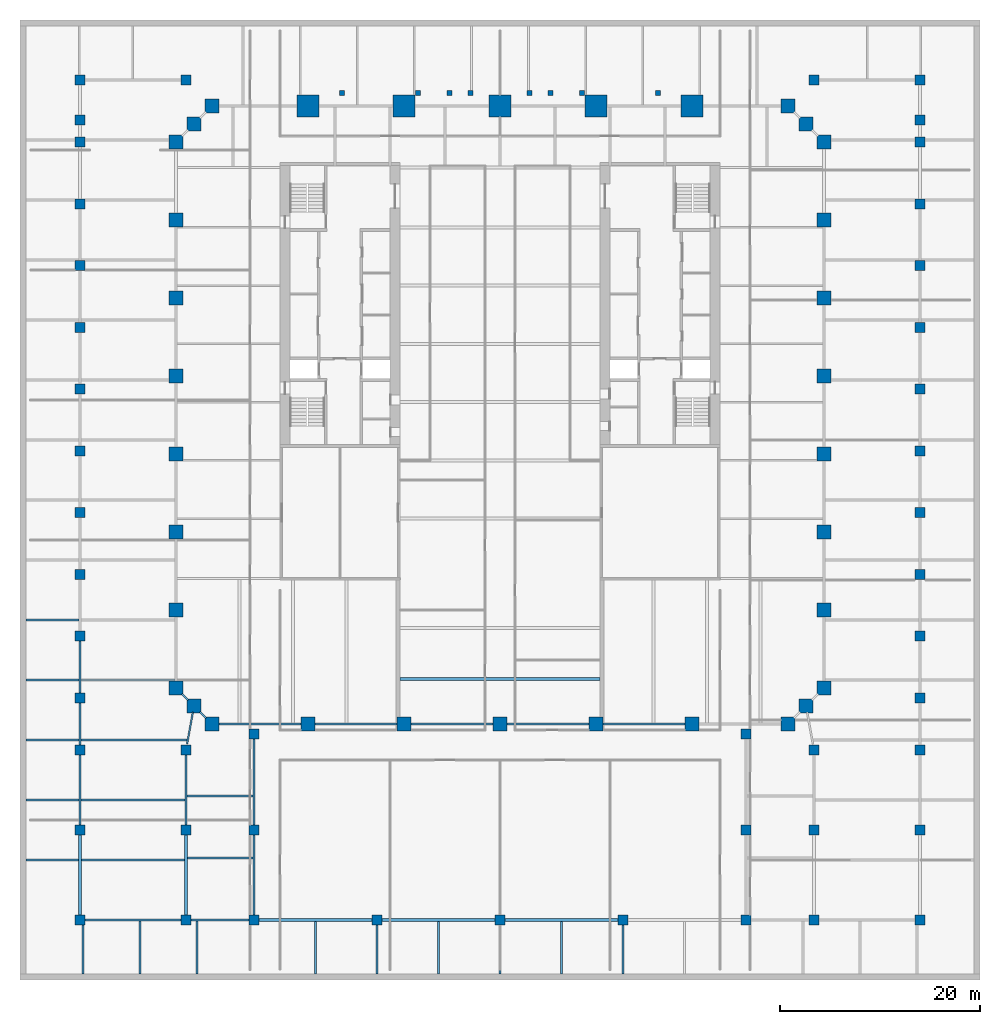
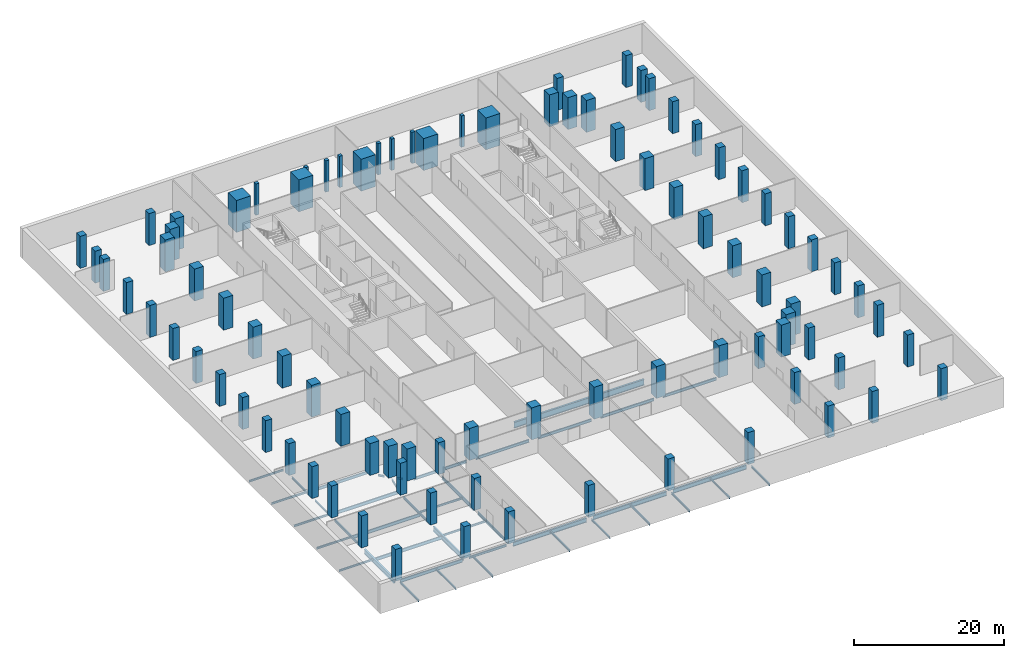
# One storey, part 1 of 15: 89 columns, 42 beams.
"""IFC4 building model written with IfcOpenShell, lengths in metres."""

from ifc_helpers import new_model, si_unit, direction, frame, origin, origin_2d, place, context, subcontext, project, spatial, rectangle, i_section, extrude, material, material_profile, profile_set, type_object, element, save


model = new_model("IFC4")

# Units and contexts
model_context = context("Model", 3, precision=1e-05, world=origin(), true_north=direction((0.0, 1.0)))
body_context = subcontext(model_context, "Body", "Model", "MODEL_VIEW")
ifc_project = project(units=[si_unit("LENGTHUNIT", "METRE"), si_unit("AREAUNIT", "SQUARE_METRE"), si_unit("VOLUMEUNIT", "CUBIC_METRE"), si_unit("PLANEANGLEUNIT", "RADIAN"), si_unit("MASSUNIT", "GRAM", prefix="KILO")], contexts=[model_context])

# Site, building, storey
site_placement = place(None, origin())
site = spatial("IfcSite", under=ifc_project, at=site_placement, CompositionType="ELEMENT")
building_placement = place(site_placement, origin())
building = spatial("IfcBuilding", under=site, at=building_placement, Name="Ogive Exchange Tower", CompositionType="ELEMENT")
storey_placement = place(building_placement, frame((0.0, 0.0, -5.199951171875)))
storey = spatial("IfcBuildingStorey", under=building, at=storey_placement, Name="B1", CompositionType="ELEMENT", Elevation=-5.199951171875)

# Columns
ifc_material_1 = material(Name="Concrete C70/85", Category="concrete")
ifc_material_profile_1 = material_profile(ifc_material_1, rectangle(XDim=1.0, YDim=1.0, at=origin_2d()), Name="RC 1000x1000")
ifc_profile_set_1 = profile_set([ifc_material_profile_1], Name="Concrete C70/85")
column_type_1 = type_object("IfcColumnType", Name="RC column 1000x1000", PredefinedType="COLUMN", material=ifc_profile_set_1)
for number, where, z_axis, x_axis, name in (
    (1, (-42.0, -50.0, 0.0), (0.0, 0.0, 1.0), (1.0, 0.0, 0.0), "Podium column"),
    (2, (-31.39990234375, -50.0, 0.0), (0.0, 0.0, 1.0), (1.0, 0.0, 0.0), "Podium column"),
    (3, (-24.60009765625, -50.0, 0.0), (0.0, 0.0, 1.0), (1.0, 0.0, 0.0), "Podium column"),
    (4, (-12.300048828125, -50.0, 0.0), (0.0, 0.0, 1.0), (1.0, 0.0, 0.0), "Podium column"),
    (5, (0.0, -50.0, 0.0), (0.0, 0.0, 1.0), (1.0, 0.0, 0.0), "Podium column"),
    (6, (12.300048828125, -50.0, 0.0), (0.0, 0.0, 1.0), (1.0, 0.0, 0.0), "Podium column"),
    (7, (24.60009765625, -50.0, 0.0), (0.0, 0.0, 1.0), (1.0, 0.0, 0.0), "Podium column"),
    (8, (31.39990234375, -50.0, 0.0), (0.0, 0.0, 1.0), (1.0, 0.0, 0.0), "Podium column"),
    (9, (42.0, -50.0, 0.0), (0.0, 0.0, 1.0), (1.0, 0.0, 0.0), "Podium column"),
    (10, (-42.0, -41.0, 0.0), (0.0, 0.0, 1.0), (1.0, 0.0, 0.0), "Podium column"),
    (11, (-31.39990234375, -41.0, 0.0), (0.0, 0.0, 1.0), (1.0, 0.0, 0.0), "Podium column"),
    (12, (-24.60009765625, -41.0, 0.0), (0.0, 0.0, 1.0), (1.0, 0.0, 0.0), "Podium column"),
    (13, (24.60009765625, -41.0, 0.0), (0.0, 0.0, 1.0), (1.0, 0.0, 0.0), "Podium column"),
    (14, (31.39990234375, -41.0, 0.0), (0.0, 0.0, 1.0), (1.0, 0.0, 0.0), "Podium column"),
    (15, (42.0, -41.0, 0.0), (0.0, 0.0, 1.0), (1.0, 0.0, 0.0), "Podium column"),
    (16, (-42.0, -33.0, 0.0), (0.0, 0.0, 1.0), (1.0, 0.0, 0.0), "Podium column"),
    (17, (-31.39990234375, -33.0, 0.0), (0.0, 0.0, 1.0), (1.0, 0.0, 0.0), "Podium column"),
    (18, (31.39990234375, -33.0, 0.0), (0.0, 0.0, 1.0), (1.0, 0.0, 0.0), "Podium column"),
    (19, (42.0, -33.0, 0.0), (0.0, 0.0, 1.0), (1.0, 0.0, 0.0), "Podium column"),
    (20, (-24.60009765625, -31.39990234375, 0.0), (0.0, 0.0, 1.0), (1.0, 0.0, 0.0), "Podium column"),
    (21, (24.60009765625, -31.39990234375, 0.0), (0.0, 0.0, 1.0), (1.0, 0.0, 0.0), "Podium column"),
    (22, (-42.0, -27.800048828125, 0.0), (0.0, 0.0, 1.0), (1.0, 0.0, 0.0), "Podium column"),
    (23, (42.0, -27.800048828125, 0.0), (0.0, 0.0, 1.0), (1.0, 0.0, 0.0), "Podium column"),
    (24, (-42.0, -21.6201171875, 0.0), (0.0, 0.0, 1.0), (1.0, 0.0, 0.0), "Podium column"),
    (25, (42.0, -21.6201171875, 0.0), (0.0, 0.0, 1.0), (1.0, 0.0, 0.0), "Podium column"),
    (26, (-42.0, -15.43994140625, 0.0), (0.0, 0.0, 1.0), (1.0, 0.0, 0.0), "Podium column"),
    (27, (42.0, -15.43994140625, 0.0), (0.0, 0.0, 1.0), (1.0, 0.0, 0.0), "Podium column"),
    (28, (-42.0, -9.27001953125, 0.0), (0.0, 0.0, 1.0), (1.0, 0.0, 0.0), "Podium column"),
    (29, (42.0, -9.27001953125, 0.0), (0.0, 0.0, 1.0), (1.0, 0.0, 0.0), "Podium column"),
    (30, (-42.0, -3.090087890625, 0.0), (0.0, 0.0, 1.0), (1.0, 0.0, 0.0), "Podium column"),
    (31, (42.0, -3.090087890625, 0.0), (0.0, 0.0, 1.0), (1.0, 0.0, 0.0), "Podium column"),
    (32, (-42.0, 3.090087890625, 0.0), (0.0, 0.0, 1.0), (1.0, 0.0, 0.0), "Podium column"),
    (33, (42.0, 3.090087890625, 0.0), (0.0, 0.0, 1.0), (1.0, 0.0, 0.0), "Podium column"),
    (34, (-42.0, 9.27001953125, 0.0), (0.0, 0.0, 1.0), (1.0, 0.0, 0.0), "Podium column"),
    (35, (42.0, 9.27001953125, 0.0), (0.0, 0.0, 1.0), (1.0, 0.0, 0.0), "Podium column"),
    (36, (-42.0, 15.43994140625, 0.0), (0.0, 0.0, 1.0), (1.0, 0.0, 0.0), "Podium column"),
    (37, (42.0, 15.43994140625, 0.0), (0.0, 0.0, 1.0), (1.0, 0.0, 0.0), "Podium column"),
    (38, (-42.0, 21.6201171875, 0.0), (0.0, 0.0, 1.0), (1.0, 0.0, 0.0), "Podium column"),
    (39, (42.0, 21.6201171875, 0.0), (0.0, 0.0, 1.0), (1.0, 0.0, 0.0), "Podium column"),
    (40, (-42.0, 27.800048828125, 0.0), (0.0, 0.0, 1.0), (1.0, 0.0, 0.0), "Podium column"),
    (41, (42.0, 27.800048828125, 0.0), (0.0, 0.0, 1.0), (1.0, 0.0, 0.0), "Podium column"),
    (42, (-42.0, 30.0, 0.0), (0.0, 0.0, 1.0), (1.0, 0.0, 0.0), "Podium column"),
    (43, (42.0, 30.0, 0.0), (0.0, 0.0, 1.0), (1.0, 0.0, 0.0), "Podium column"),
    (44, (-42.0, 34.0, 0.0), (0.0, 0.0, 1.0), (1.0, 0.0, 0.0), "Podium column"),
    (45, (-31.39990234375, 34.0, 0.0), (0.0, 0.0, 1.0), (1.0, 0.0, 0.0), "Podium column"),
    (46, (31.39990234375, 34.0, 0.0), (0.0, 0.0, 1.0), (1.0, 0.0, 0.0), "Podium column"),
    (47, (42.0, 34.0, 0.0), (0.0, 0.0, 1.0), (1.0, 0.0, 0.0), "Podium column"),
):
    element("IfcColumn", number, at=place(storey_placement, frame(where, z_axis=z_axis, x_axis=x_axis)), inside=storey, type_object=column_type_1, Name=name, PredefinedType="COLUMN", context=body_context, shape_type="SweptSolid", body=[
        extrude(rectangle(XDim=1.0, YDim=1.0, at=origin_2d()), origin(), (0.0, 0.0, 1.0), 5.199951171875),
    ])
ifc_material_profile_2 = material_profile(ifc_material_1, rectangle(XDim=1.39990234375, YDim=1.39990234375, at=origin_2d()), Name="RC 1400x1400")
ifc_profile_set_2 = profile_set([ifc_material_profile_2], Name="Concrete C70/85")
column_type_2 = type_object("IfcColumnType", Name="RC column 1400x1400", PredefinedType="COLUMN", material=ifc_profile_set_2)
for number, where, z_axis, x_axis, name in (
    (48, (-28.800048828125, -30.39990234375, 0.0), (0.0, 0.0, 1.0), (1.0, 0.0, 0.0), "Leg column"),
    (49, (-19.199951171875, -30.39990234375, 0.0), (0.0, 0.0, 1.0), (1.0, 0.0, 0.0), "Leg column"),
    (50, (-9.60009765625, -30.39990234375, 0.0), (0.0, 0.0, 1.0), (1.0, 0.0, 0.0), "Leg column"),
    (51, (0.0, -30.39990234375, 0.0), (0.0, 0.0, 1.0), (1.0, 0.0, 0.0), "Leg column"),
    (52, (9.60009765625, -30.39990234375, 0.0), (0.0, 0.0, 1.0), (1.0, 0.0, 0.0), "Leg column"),
    (53, (19.199951171875, -30.39990234375, 0.0), (0.0, 0.0, 1.0), (1.0, 0.0, 0.0), "Leg column"),
    (54, (28.800048828125, -30.39990234375, 0.0), (0.0, 0.0, 1.0), (1.0, 0.0, 0.0), "Leg column"),
    (55, (-30.60009765625, -28.60009765625, 0.0), (0.0, 0.0, 1.0), (1.0, 0.0, 0.0), "Leg column"),
    (56, (30.60009765625, -28.60009765625, 0.0), (0.0, 0.0, 1.0), (1.0, 0.0, 0.0), "Leg column"),
    (57, (-32.39990234375, -26.800048828125, 0.0), (0.0, 0.0, 1.0), (1.0, 0.0, 0.0), "Leg column"),
    (58, (32.39990234375, -26.800048828125, 0.0), (0.0, 0.0, 1.0), (1.0, 0.0, 0.0), "Leg column"),
    (59, (-32.39990234375, -19.0, 0.0), (0.0, 0.0, 1.0), (1.0, 0.0, 0.0), "Leg column"),
    (60, (32.39990234375, -19.0, 0.0), (0.0, 0.0, 1.0), (1.0, 0.0, 0.0), "Leg column"),
    (61, (-32.39990234375, -11.199951171875, 0.0), (0.0, 0.0, 1.0), (1.0, 0.0, 0.0), "Leg column"),
    (62, (32.39990234375, -11.199951171875, 0.0), (0.0, 0.0, 1.0), (1.0, 0.0, 0.0), "Leg column"),
    (63, (-32.39990234375, -3.39990234375, 0.0), (0.0, 0.0, 1.0), (1.0, 0.0, 0.0), "Leg column"),
    (64, (32.39990234375, -3.39990234375, 0.0), (0.0, 0.0, 1.0), (1.0, 0.0, 0.0), "Leg column"),
    (65, (-32.39990234375, 4.39990234375, 0.0), (0.0, 0.0, 1.0), (1.0, 0.0, 0.0), "Leg column"),
    (66, (32.39990234375, 4.39990234375, 0.0), (0.0, 0.0, 1.0), (1.0, 0.0, 0.0), "Leg column"),
    (67, (-32.39990234375, 12.199951171875, 0.0), (0.0, 0.0, 1.0), (1.0, 0.0, 0.0), "Leg column"),
    (68, (32.39990234375, 12.199951171875, 0.0), (0.0, 0.0, 1.0), (1.0, 0.0, 0.0), "Leg column"),
    (69, (-32.39990234375, 20.0, 0.0), (0.0, 0.0, 1.0), (1.0, 0.0, 0.0), "Leg column"),
    (70, (32.39990234375, 20.0, 0.0), (0.0, 0.0, 1.0), (1.0, 0.0, 0.0), "Leg column"),
    (71, (-32.39990234375, 27.800048828125, 0.0), (0.0, 0.0, 1.0), (1.0, 0.0, 0.0), "Leg column"),
    (72, (32.39990234375, 27.800048828125, 0.0), (0.0, 0.0, 1.0), (1.0, 0.0, 0.0), "Leg column"),
    (73, (-30.60009765625, 29.60009765625, 0.0), (0.0, 0.0, 1.0), (1.0, 0.0, 0.0), "Leg column"),
    (74, (30.60009765625, 29.60009765625, 0.0), (0.0, 0.0, 1.0), (1.0, 0.0, 0.0), "Leg column"),
    (75, (-28.800048828125, 31.39990234375, 0.0), (0.0, 0.0, 1.0), (1.0, 0.0, 0.0), "Leg column"),
    (76, (28.800048828125, 31.39990234375, 0.0), (0.0, 0.0, 1.0), (1.0, 0.0, 0.0), "Leg column"),
):
    element("IfcColumn", number, at=place(storey_placement, frame(where, z_axis=z_axis, x_axis=x_axis)), inside=storey, type_object=column_type_2, Name=name, PredefinedType="COLUMN", context=body_context, shape_type="SweptSolid", body=[
        extrude(rectangle(XDim=1.39990234375, YDim=1.39990234375, at=origin_2d()), origin(), (0.0, 0.0, 1.0), 5.199951171875),
    ])
ifc_material_profile_3 = material_profile(ifc_material_1, rectangle(XDim=0.5, YDim=0.5, at=origin_2d()), Name="RC 500x500")
ifc_profile_set_3 = profile_set([ifc_material_profile_3], Name="Concrete C70/85")
column_type_3 = type_object("IfcColumnType", Name="RC column 500x500", PredefinedType="COLUMN", material=ifc_profile_set_3)
for number, where, z_axis, x_axis, name in (
    (77, (-15.800048828125, 32.699951171875, 0.0), (0.0, 0.0, 1.0), (1.0, 0.0, 0.0), "Forecourt pier support"),
    (78, (-8.199951171875, 32.699951171875, 0.0), (0.0, 0.0, 1.0), (1.0, 0.0, 0.0), "Forecourt pier support"),
    (79, (-5.050048828125, 32.699951171875, 0.0), (0.0, 0.0, 1.0), (1.0, 0.0, 0.0), "Forecourt pier support"),
    (80, (-2.949951171875, 32.699951171875, 0.0), (0.0, 0.0, 1.0), (1.0, 0.0, 0.0), "Forecourt pier support"),
    (81, (2.949951171875, 32.699951171875, 0.0), (0.0, 0.0, 1.0), (1.0, 0.0, 0.0), "Forecourt pier support"),
    (82, (5.050048828125, 32.699951171875, 0.0), (0.0, 0.0, 1.0), (1.0, 0.0, 0.0), "Forecourt pier support"),
    (83, (8.199951171875, 32.699951171875, 0.0), (0.0, 0.0, 1.0), (1.0, 0.0, 0.0), "Forecourt pier support"),
    (84, (15.800048828125, 32.699951171875, 0.0), (0.0, 0.0, 1.0), (1.0, 0.0, 0.0), "Forecourt pier support"),
):
    element("IfcColumn", number, at=place(storey_placement, frame(where, z_axis=z_axis, x_axis=x_axis)), inside=storey, type_object=column_type_3, Name=name, PredefinedType="COLUMN", context=body_context, shape_type="SweptSolid", body=[
        extrude(rectangle(XDim=0.5, YDim=0.5, at=origin_2d()), origin(), (0.0, 0.0, 1.0), 5.099853515625),
    ])
ifc_material_profile_4 = material_profile(ifc_material_1, rectangle(XDim=2.199951171875, YDim=2.199951171875, at=origin_2d()), Name="RC 2200x2200")
ifc_profile_set_4 = profile_set([ifc_material_profile_4], Name="Concrete C70/85")
column_type_4 = type_object("IfcColumnType", Name="RC pier 2200x2200", PredefinedType="COLUMN", material=ifc_profile_set_4)
for number, where, z_axis, x_axis, name in (
    (85, (-19.199951171875, 31.39990234375, 0.0), (0.0, 0.0, 1.0), (1.0, 0.0, 0.0), "Entrance pier"),
    (86, (-9.60009765625, 31.39990234375, 0.0), (0.0, 0.0, 1.0), (1.0, 0.0, 0.0), "Entrance pier"),
    (87, (0.0, 31.39990234375, 0.0), (0.0, 0.0, 1.0), (1.0, 0.0, 0.0), "Entrance pier"),
    (88, (9.60009765625, 31.39990234375, 0.0), (0.0, 0.0, 1.0), (1.0, 0.0, 0.0), "Entrance pier"),
    (89, (19.199951171875, 31.39990234375, 0.0), (0.0, 0.0, 1.0), (1.0, 0.0, 0.0), "Entrance pier"),
):
    element("IfcColumn", number, at=place(storey_placement, frame(where, z_axis=z_axis, x_axis=x_axis)), inside=storey, type_object=column_type_4, Name=name, PredefinedType="COLUMN", context=body_context, shape_type="SweptSolid", body=[
        extrude(rectangle(XDim=2.199951171875, YDim=2.199951171875, at=origin_2d()), origin(), (0.0, 0.0, 1.0), 5.199951171875),
    ])

# Beams
ifc_material_2 = material(Name="Steel ASTM A992 Gr50", Category="steel")
ifc_material_profile_5 = material_profile(ifc_material_2, i_section(OverallWidth=0.300048828125, OverallDepth=0.969970703125, WebThickness=0.01611328125, FlangeThickness=0.02099609375, at=origin_2d()), Name="W1000x222")
ifc_profile_set_5 = profile_set([ifc_material_profile_5], Name="Steel ASTM A992 Gr50")
beam_type_1 = type_object("IfcBeamType", Name="Floor beam W1000x222", PredefinedType="JOIST", material=ifc_profile_set_5)
beam_1_placement = place(storey_placement, frame((-10.0, -25.896728515625, -0.78515625), z_axis=(1.0, 0.0, 0.0), x_axis=(0.0, 1.0, 0.0)))
element("IfcBeam", 90, at=beam_1_placement, inside=storey, type_object=beam_type_1, Name="Floor beam", PredefinedType="JOIST", context=body_context, shape_type="SweptSolid", body=[
    extrude(i_section(OverallWidth=0.300048828125, OverallDepth=0.969970703125, WebThickness=0.01611328125, FlangeThickness=0.02099609375, at=origin_2d()), origin(), (0.0, 0.0, 1.0), 20.0),
])
ifc_material_profile_6 = material_profile(ifc_material_2, i_section(OverallWidth=0.1650390625, OverallDepth=0.31005859375, WebThickness=0.005859375, FlangeThickness=0.009765625, at=origin_2d()), Name="W310x38.7")
ifc_profile_set_6 = profile_set([ifc_material_profile_6], Name="Steel ASTM A992 Gr50")
beam_type_2 = type_object("IfcBeamType", Name="Floor beam W310x38.7", PredefinedType="JOIST", material=ifc_profile_set_6)
beam_2_placement = place(storey_placement, frame((-47.39990234375, -44.0, -0.455078125), z_axis=(1.0, 0.0, 0.0), x_axis=(0.0, 1.0, 0.0)))
element("IfcBeam", 91, at=beam_2_placement, inside=storey, type_object=beam_type_2, Name="Floor beam", PredefinedType="JOIST", context=body_context, shape_type="SweptSolid", body=[
    extrude(i_section(OverallWidth=0.1650390625, OverallDepth=0.31005859375, WebThickness=0.005859375, FlangeThickness=0.009765625, at=origin_2d()), origin(), (0.0, 0.0, 1.0), 5.266357421875),
])
beam_3_placement = place(storey_placement, frame((-47.39990234375, -38.0, -0.455078125), z_axis=(1.0, 0.0, 0.0), x_axis=(0.0, 1.0, 0.0)))
element("IfcBeam", 92, at=beam_3_placement, inside=storey, type_object=beam_type_2, Name="Floor beam", PredefinedType="JOIST", context=body_context, shape_type="SweptSolid", body=[
    extrude(i_section(OverallWidth=0.1650390625, OverallDepth=0.31005859375, WebThickness=0.005859375, FlangeThickness=0.009765625, at=origin_2d()), origin(), (0.0, 0.0, 1.0), 5.310791015625),
])
for number, where, z_axis, x_axis, name in (
    (93, (-47.39990234375, -32.0, -0.455078125), (1.0, 0.0, 0.0), (0.0, 1.0, 0.0), "Floor beam"),
    (94, (-47.39990234375, -26.0, -0.455078125), (1.0, 0.0, 0.0), (0.0, 1.0, 0.0), "Floor beam"),
    (95, (-47.39990234375, -20.0, -0.455078125), (1.0, 0.0, 0.0), (0.0, 1.0, 0.0), "Floor beam"),
):
    element("IfcBeam", number, at=place(storey_placement, frame(where, z_axis=z_axis, x_axis=x_axis)), inside=storey, type_object=beam_type_2, Name=name, PredefinedType="JOIST", context=body_context, shape_type="SweptSolid", body=[
        extrude(i_section(OverallWidth=0.1650390625, OverallDepth=0.31005859375, WebThickness=0.005859375, FlangeThickness=0.009765625, at=origin_2d()), origin(), (0.0, 0.0, 1.0), 5.3173828125),
    ])
beam_4_placement = place(storey_placement, frame((-31.2666015625, -43.800048828125, -0.455078125), z_axis=(1.0, 0.0, 0.0), x_axis=(0.0, 1.0, 0.0)))
element("IfcBeam", 96, at=beam_4_placement, inside=storey, type_object=beam_type_2, Name="Floor beam", PredefinedType="JOIST", context=body_context, shape_type="SweptSolid", body=[
    extrude(i_section(OverallWidth=0.1650390625, OverallDepth=0.31005859375, WebThickness=0.005859375, FlangeThickness=0.009765625, at=origin_2d()), origin(), (0.0, 0.0, 1.0), 6.571044921875),
])
beam_5_placement = place(storey_placement, frame((-31.31103515625, -37.60009765625, -0.455078125), z_axis=(1.0, 0.0, 0.0), x_axis=(0.0, 1.0, 0.0)))
element("IfcBeam", 97, at=beam_5_placement, inside=storey, type_object=beam_type_2, Name="Floor beam", PredefinedType="JOIST", context=body_context, shape_type="SweptSolid", body=[
    extrude(i_section(OverallWidth=0.1650390625, OverallDepth=0.31005859375, WebThickness=0.005859375, FlangeThickness=0.009765625, at=origin_2d()), origin(), (0.0, 0.0, 1.0), 6.62744140625),
])
beam_6_placement = place(storey_placement, frame((-41.699951171875, -55.39990234375, -0.455078125), z_axis=(0.0, 1.0, 0.0), x_axis=(-1.0, 0.0, 0.0)))
element("IfcBeam", 98, at=beam_6_placement, inside=storey, type_object=beam_type_2, Name="Floor beam", PredefinedType="JOIST", context=body_context, shape_type="SweptSolid", body=[
    extrude(i_section(OverallWidth=0.1650390625, OverallDepth=0.31005859375, WebThickness=0.005859375, FlangeThickness=0.009765625, at=origin_2d()), origin(), (0.0, 0.0, 1.0), 4.89990234375),
])
beam_7_placement = place(storey_placement, frame((-36.0, -55.39990234375, -0.455078125), z_axis=(0.0, 1.0, 0.0), x_axis=(-1.0, 0.0, 0.0)))
element("IfcBeam", 99, at=beam_7_placement, inside=storey, type_object=beam_type_2, Name="Floor beam", PredefinedType="JOIST", context=body_context, shape_type="SweptSolid", body=[
    extrude(i_section(OverallWidth=0.1650390625, OverallDepth=0.31005859375, WebThickness=0.005859375, FlangeThickness=0.009765625, at=origin_2d()), origin(), (0.0, 0.0, 1.0), 5.31640625),
])
beam_8_placement = place(storey_placement, frame((-30.300048828125, -55.39990234375, -0.455078125), z_axis=(0.0, 1.0, 0.0), x_axis=(-1.0, 0.0, 0.0)))
element("IfcBeam", 100, at=beam_8_placement, inside=storey, type_object=beam_type_2, Name="Floor beam", PredefinedType="JOIST", context=body_context, shape_type="SweptSolid", body=[
    extrude(i_section(OverallWidth=0.1650390625, OverallDepth=0.31005859375, WebThickness=0.005859375, FlangeThickness=0.009765625, at=origin_2d()), origin(), (0.0, 0.0, 1.0), 5.314453125),
])
beam_9_placement = place(storey_placement, frame((-18.449951171875, -55.39990234375, -0.455078125), z_axis=(0.0, 1.0, 0.0), x_axis=(-1.0, 0.0, 0.0)))
element("IfcBeam", 101, at=beam_9_placement, inside=storey, type_object=beam_type_2, Name="Floor beam", PredefinedType="JOIST", context=body_context, shape_type="SweptSolid", body=[
    extrude(i_section(OverallWidth=0.1650390625, OverallDepth=0.31005859375, WebThickness=0.005859375, FlangeThickness=0.009765625, at=origin_2d()), origin(), (0.0, 0.0, 1.0), 5.27294921875),
])
beam_10_placement = place(storey_placement, frame((-12.300048828125, -55.39990234375, -0.455078125), z_axis=(0.0, 1.0, 0.0), x_axis=(-1.0, 0.0, 0.0)))
element("IfcBeam", 102, at=beam_10_placement, inside=storey, type_object=beam_type_2, Name="Floor beam", PredefinedType="JOIST", context=body_context, shape_type="SweptSolid", body=[
    extrude(i_section(OverallWidth=0.1650390625, OverallDepth=0.31005859375, WebThickness=0.005859375, FlangeThickness=0.009765625, at=origin_2d()), origin(), (0.0, 0.0, 1.0), 4.89990234375),
])
beam_11_placement = place(storey_placement, frame((-6.14990234375, -55.39990234375, -0.455078125), z_axis=(0.0, 1.0, 0.0), x_axis=(-1.0, 0.0, 0.0)))
element("IfcBeam", 103, at=beam_11_placement, inside=storey, type_object=beam_type_2, Name="Floor beam", PredefinedType="JOIST", context=body_context, shape_type="SweptSolid", body=[
    extrude(i_section(OverallWidth=0.1650390625, OverallDepth=0.31005859375, WebThickness=0.005859375, FlangeThickness=0.009765625, at=origin_2d()), origin(), (0.0, 0.0, 1.0), 5.27294921875),
])
beam_12_placement = place(storey_placement, frame((0.0, -55.39990234375, -0.455078125), z_axis=(0.0, 1.0, 0.0), x_axis=(-1.0, 0.0, 0.0)))
element("IfcBeam", 104, at=beam_12_placement, inside=storey, type_object=beam_type_2, Name="Floor beam", PredefinedType="JOIST", context=body_context, shape_type="SweptSolid", body=[
    extrude(i_section(OverallWidth=0.1650390625, OverallDepth=0.31005859375, WebThickness=0.005859375, FlangeThickness=0.009765625, at=origin_2d()), origin(), (0.0, 0.0, 1.0), 4.89990234375),
])
beam_13_placement = place(storey_placement, frame((6.14990234375, -55.39990234375, -0.455078125), z_axis=(0.0, 1.0, 0.0), x_axis=(-1.0, 0.0, 0.0)))
element("IfcBeam", 105, at=beam_13_placement, inside=storey, type_object=beam_type_2, Name="Floor beam", PredefinedType="JOIST", context=body_context, shape_type="SweptSolid", body=[
    extrude(i_section(OverallWidth=0.1650390625, OverallDepth=0.31005859375, WebThickness=0.005859375, FlangeThickness=0.009765625, at=origin_2d()), origin(), (0.0, 0.0, 1.0), 5.27294921875),
])
beam_14_placement = place(storey_placement, frame((12.300048828125, -55.39990234375, -0.455078125), z_axis=(0.0, 1.0, 0.0), x_axis=(-1.0, 0.0, 0.0)))
element("IfcBeam", 106, at=beam_14_placement, inside=storey, type_object=beam_type_2, Name="Floor beam", PredefinedType="JOIST", context=body_context, shape_type="SweptSolid", body=[
    extrude(i_section(OverallWidth=0.1650390625, OverallDepth=0.31005859375, WebThickness=0.005859375, FlangeThickness=0.009765625, at=origin_2d()), origin(), (0.0, 0.0, 1.0), 4.89990234375),
])
ifc_material_profile_7 = material_profile(ifc_material_2, i_section(OverallWidth=0.19091796875, OverallDepth=0.45703125, WebThickness=0.009033203125, FlangeThickness=0.014404296875, at=origin_2d()), Name="W460x74")
ifc_profile_set_7 = profile_set([ifc_material_profile_7], Name="Steel ASTM A992 Gr50")
beam_type_3 = type_object("IfcBeamType", Name="Floor beam W460x74", PredefinedType="JOIST", material=ifc_profile_set_7)
beam_15_placement = place(storey_placement, frame((-41.91748046875, -26.0, -0.528564453125), z_axis=(1.0, 0.0, 0.0), x_axis=(0.0, 1.0, 0.0)))
element("IfcBeam", 107, at=beam_15_placement, inside=storey, type_object=beam_type_3, Name="Floor beam", PredefinedType="JOIST", context=body_context, shape_type="SweptSolid", body=[
    extrude(i_section(OverallWidth=0.19091796875, OverallDepth=0.45703125, WebThickness=0.009033203125, FlangeThickness=0.014404296875, at=origin_2d()), origin(), (0.0, 0.0, 1.0), 9.431884765625),
])
ifc_material_profile_8 = material_profile(ifc_material_2, i_section(OverallWidth=0.1669921875, OverallDepth=0.535888671875, WebThickness=0.01025390625, FlangeThickness=0.0166015625, at=origin_2d()), Name="W530x85")
ifc_profile_set_8 = profile_set([ifc_material_profile_8], Name="Steel ASTM A992 Gr50")
beam_type_4 = type_object("IfcBeamType", Name="Floor beam W530x85", PredefinedType="JOIST", material=ifc_profile_set_8)
beam_16_placement = place(storey_placement, frame((-41.866455078125, -44.0, -0.568115234375), z_axis=(1.0, 0.0, 0.0), x_axis=(0.0, 1.0, 0.0)))
element("IfcBeam", 108, at=beam_16_placement, inside=storey, type_object=beam_type_4, Name="Floor beam", PredefinedType="JOIST", context=body_context, shape_type="SweptSolid", body=[
    extrude(i_section(OverallWidth=0.1669921875, OverallDepth=0.535888671875, WebThickness=0.01025390625, FlangeThickness=0.0166015625, at=origin_2d()), origin(), (0.0, 0.0, 1.0), 10.3330078125),
])
beam_17_placement = place(storey_placement, frame((-41.910888671875, -38.0, -0.568115234375), z_axis=(1.0, 0.0, 0.0), x_axis=(0.0, 1.0, 0.0)))
element("IfcBeam", 109, at=beam_17_placement, inside=storey, type_object=beam_type_4, Name="Floor beam", PredefinedType="JOIST", context=body_context, shape_type="SweptSolid", body=[
    extrude(i_section(OverallWidth=0.1669921875, OverallDepth=0.535888671875, WebThickness=0.01025390625, FlangeThickness=0.0166015625, at=origin_2d()), origin(), (0.0, 0.0, 1.0), 10.421875),
])
beam_18_placement = place(storey_placement, frame((-41.91748046875, -32.0, -0.568115234375), z_axis=(1.0, 0.0, 0.0), x_axis=(0.0, 1.0, 0.0)))
element("IfcBeam", 110, at=beam_18_placement, inside=storey, type_object=beam_type_4, Name="Floor beam", PredefinedType="JOIST", context=body_context, shape_type="SweptSolid", body=[
    extrude(i_section(OverallWidth=0.1669921875, OverallDepth=0.535888671875, WebThickness=0.01025390625, FlangeThickness=0.0166015625, at=origin_2d()), origin(), (0.0, 0.0, 1.0), 10.615478515625),
])
ifc_material_profile_9 = material_profile(ifc_material_2, i_section(OverallWidth=0.1650390625, OverallDepth=0.31005859375, WebThickness=0.005859375, FlangeThickness=0.009765625, at=origin_2d()), Name="W310x38.7")
ifc_profile_set_9 = profile_set([ifc_material_profile_9], Name="Steel ASTM A992 Gr50")
beam_type_5 = type_object("IfcBeamType", Name="Girder W310x38.7", PredefinedType="BEAM", material=ifc_profile_set_9)
for number, where, z_axis, x_axis, name in (
    (111, (-31.805908203125, -27.39404296875, -0.455078125), (0.706965712506, -0.707247821729, 0.0), (0.707247821729, 0.706965712506, 0.0), "Girder"),
    (112, (-30.006103515625, -29.194091796875, -0.455078125), (0.707247821729, -0.706965712506, 0.0), (0.706965712506, 0.707247821729, 0.0), "Girder"),
):
    element("IfcBeam", number, at=place(storey_placement, frame(where, z_axis=z_axis, x_axis=x_axis)), inside=storey, type_object=beam_type_5, Name=name, PredefinedType="BEAM", context=body_context, shape_type="SweptSolid", body=[
        extrude(i_section(OverallWidth=0.1650390625, OverallDepth=0.31005859375, WebThickness=0.005859375, FlangeThickness=0.009765625, at=origin_2d()), origin(), (0.0, 0.0, 1.0), 0.865478515625),
    ])
beam_19_placement = place(storey_placement, frame((-31.292724609375, -32.40966796875, -0.455078125), z_axis=(0.178911700404, 0.983865134792, 0.0), x_axis=(-0.983865134792, 0.178911700404, 0.0)))
element("IfcBeam", 113, at=beam_19_placement, inside=storey, type_object=beam_type_5, Name="Girder", PredefinedType="BEAM", context=body_context, shape_type="SweptSolid", body=[
    extrude(i_section(OverallWidth=0.1650390625, OverallDepth=0.31005859375, WebThickness=0.005859375, FlangeThickness=0.009765625, at=origin_2d()), origin(), (0.0, 0.0, 1.0), 3.272216796875),
])
beam_20_placement = place(storey_placement, frame((-42.0, -32.5, -0.455078125), z_axis=(0.0, 1.0, 0.0), x_axis=(-1.0, 0.0, 0.0)))
element("IfcBeam", 114, at=beam_20_placement, inside=storey, type_object=beam_type_5, Name="Girder", PredefinedType="BEAM", context=body_context, shape_type="SweptSolid", body=[
    extrude(i_section(OverallWidth=0.1650390625, OverallDepth=0.31005859375, WebThickness=0.005859375, FlangeThickness=0.009765625, at=origin_2d()), origin(), (0.0, 0.0, 1.0), 4.199951171875),
])
beam_21_placement = place(storey_placement, frame((-42.0, -27.300048828125, -0.455078125), z_axis=(0.0, 1.0, 0.0), x_axis=(-1.0, 0.0, 0.0)))
element("IfcBeam", 115, at=beam_21_placement, inside=storey, type_object=beam_type_5, Name="Girder", PredefinedType="BEAM", context=body_context, shape_type="SweptSolid", body=[
    extrude(i_section(OverallWidth=0.1650390625, OverallDepth=0.31005859375, WebThickness=0.005859375, FlangeThickness=0.009765625, at=origin_2d()), origin(), (0.0, 0.0, 1.0), 5.179931640625),
])
ifc_material_profile_10 = material_profile(ifc_material_2, i_section(OverallWidth=0.1708984375, OverallDepth=0.35595703125, WebThickness=0.00732421875, FlangeThickness=0.01171875, at=origin_2d()), Name="W360x51")
ifc_profile_set_10 = profile_set([ifc_material_profile_10], Name="Steel ASTM A992 Gr50")
beam_type_6 = type_object("IfcBeamType", Name="Girder W360x51", PredefinedType="BEAM", material=ifc_profile_set_10)
beam_22_placement = place(storey_placement, frame((-30.89990234375, -50.0, -0.47802734375), z_axis=(1.0, 0.0, 0.0), x_axis=(0.0, 1.0, 0.0)))
element("IfcBeam", 116, at=beam_22_placement, inside=storey, type_object=beam_type_6, Name="Girder", PredefinedType="BEAM", context=body_context, shape_type="SweptSolid", body=[
    extrude(i_section(OverallWidth=0.1708984375, OverallDepth=0.35595703125, WebThickness=0.00732421875, FlangeThickness=0.01171875, at=origin_2d()), origin(), (0.0, 0.0, 1.0), 5.7998046875),
])
ifc_material_profile_11 = material_profile(ifc_material_2, i_section(OverallWidth=0.177978515625, OverallDepth=0.406005859375, WebThickness=0.0078125, FlangeThickness=0.0126953125, at=origin_2d()), Name="W410x60")
ifc_profile_set_11 = profile_set([ifc_material_profile_11], Name="Steel ASTM A992 Gr50")
beam_type_7 = type_object("IfcBeamType", Name="Girder W410x60", PredefinedType="BEAM", material=ifc_profile_set_11)
for number, where, z_axis, x_axis, name in (
    (117, (-31.39990234375, -40.5, -0.5029296875), (0.0, 1.0, 0.0), (-1.0, 0.0, 0.0), "Girder"),
    (118, (-42.0, -40.5, -0.5029296875), (0.0, 1.0, 0.0), (-1.0, 0.0, 0.0), "Girder"),
):
    element("IfcBeam", number, at=place(storey_placement, frame(where, z_axis=z_axis, x_axis=x_axis)), inside=storey, type_object=beam_type_7, Name=name, PredefinedType="BEAM", context=body_context, shape_type="SweptSolid", body=[
        extrude(i_section(OverallWidth=0.177978515625, OverallDepth=0.406005859375, WebThickness=0.0078125, FlangeThickness=0.0126953125, at=origin_2d()), origin(), (0.0, 0.0, 1.0), 7.0),
    ])
ifc_material_profile_12 = material_profile(ifc_material_2, i_section(OverallWidth=0.19091796875, OverallDepth=0.45703125, WebThickness=0.009033203125, FlangeThickness=0.014404296875, at=origin_2d()), Name="W460x74")
ifc_profile_set_12 = profile_set([ifc_material_profile_12], Name="Steel ASTM A992 Gr50")
beam_type_8 = type_object("IfcBeamType", Name="Girder W460x74", PredefinedType="BEAM", material=ifc_profile_set_12)
beam_23_placement = place(storey_placement, frame((-28.10009765625, -30.39990234375, -0.528564453125), z_axis=(1.0, 0.0, 0.0), x_axis=(0.0, 1.0, 0.0)))
element("IfcBeam", 119, at=beam_23_placement, inside=storey, type_object=beam_type_8, Name="Girder", PredefinedType="BEAM", context=body_context, shape_type="SweptSolid", body=[
    extrude(i_section(OverallWidth=0.19091796875, OverallDepth=0.45703125, WebThickness=0.009033203125, FlangeThickness=0.014404296875, at=origin_2d()), origin(), (0.0, 0.0, 1.0), 8.2001953125),
])
for number, where, z_axis, x_axis, name in (
    (120, (-18.5, -30.39990234375, -0.528564453125), (1.0, 0.0, 0.0), (0.0, 1.0, 0.0), "Girder"),
    (121, (-8.89990234375, -30.39990234375, -0.528564453125), (1.0, 0.0, 0.0), (0.0, 1.0, 0.0), "Girder"),
    (122, (0.699951171875, -30.39990234375, -0.528564453125), (1.0, 0.0, 0.0), (0.0, 1.0, 0.0), "Girder"),
    (123, (10.300048828125, -30.39990234375, -0.528564453125), (1.0, 0.0, 0.0), (0.0, 1.0, 0.0), "Girder"),
):
    element("IfcBeam", number, at=place(storey_placement, frame(where, z_axis=z_axis, x_axis=x_axis)), inside=storey, type_object=beam_type_8, Name=name, PredefinedType="BEAM", context=body_context, shape_type="SweptSolid", body=[
        extrude(i_section(OverallWidth=0.19091796875, OverallDepth=0.45703125, WebThickness=0.009033203125, FlangeThickness=0.014404296875, at=origin_2d()), origin(), (0.0, 0.0, 1.0), 8.199951171875),
    ])
beam_24_placement = place(storey_placement, frame((-24.60009765625, -49.5, -0.528564453125), z_axis=(0.0, 1.0, 0.0), x_axis=(-1.0, 0.0, 0.0)))
element("IfcBeam", 124, at=beam_24_placement, inside=storey, type_object=beam_type_8, Name="Girder", PredefinedType="BEAM", context=body_context, shape_type="SweptSolid", body=[
    extrude(i_section(OverallWidth=0.19091796875, OverallDepth=0.45703125, WebThickness=0.009033203125, FlangeThickness=0.014404296875, at=origin_2d()), origin(), (0.0, 0.0, 1.0), 8.0),
])
ifc_material_profile_13 = material_profile(ifc_material_2, i_section(OverallWidth=0.1669921875, OverallDepth=0.535888671875, WebThickness=0.01025390625, FlangeThickness=0.0166015625, at=origin_2d()), Name="W530x85")
ifc_profile_set_13 = profile_set([ifc_material_profile_13], Name="Steel ASTM A992 Gr50")
beam_type_9 = type_object("IfcBeamType", Name="Girder W530x85", PredefinedType="BEAM", material=ifc_profile_set_13)
beam_25_placement = place(storey_placement, frame((-24.60009765625, -40.5, -0.568115234375), z_axis=(0.0, 1.0, 0.0), x_axis=(-1.0, 0.0, 0.0)))
element("IfcBeam", 125, at=beam_25_placement, inside=storey, type_object=beam_type_9, Name="Girder", PredefinedType="BEAM", context=body_context, shape_type="SweptSolid", body=[
    extrude(i_section(OverallWidth=0.1669921875, OverallDepth=0.535888671875, WebThickness=0.01025390625, FlangeThickness=0.0166015625, at=origin_2d()), origin(), (0.0, 0.0, 1.0), 8.60009765625),
])
beam_26_placement = place(storey_placement, frame((-41.5, -50.0, -0.568115234375), z_axis=(1.0, 0.0, 0.0), x_axis=(0.0, 1.0, 0.0)))
element("IfcBeam", 126, at=beam_26_placement, inside=storey, type_object=beam_type_9, Name="Girder", PredefinedType="BEAM", context=body_context, shape_type="SweptSolid", body=[
    extrude(i_section(OverallWidth=0.1669921875, OverallDepth=0.535888671875, WebThickness=0.01025390625, FlangeThickness=0.0166015625, at=origin_2d()), origin(), (0.0, 0.0, 1.0), 9.60009765625),
])
ifc_material_profile_14 = material_profile(ifc_material_2, i_section(OverallWidth=0.25390625, OverallDepth=0.677978515625, WebThickness=0.01171875, FlangeThickness=0.016357421875, at=origin_2d()), Name="W690x125")
ifc_profile_set_14 = profile_set([ifc_material_profile_14], Name="Steel ASTM A992 Gr50")
beam_type_10 = type_object("IfcBeamType", Name="Girder W690x125", PredefinedType="BEAM", material=ifc_profile_set_14)
for number, where, z_axis, x_axis, name in (
    (127, (-24.10009765625, -50.0, -0.63916015625), (1.0, 0.0, 0.0), (0.0, 1.0, 0.0), "Girder"),
    (128, (-11.800048828125, -50.0, -0.63916015625), (1.0, 0.0, 0.0), (0.0, 1.0, 0.0), "Girder"),
    (129, (0.5, -50.0, -0.63916015625), (1.0, 0.0, 0.0), (0.0, 1.0, 0.0), "Girder"),
):
    element("IfcBeam", number, at=place(storey_placement, frame(where, z_axis=z_axis, x_axis=x_axis)), inside=storey, type_object=beam_type_10, Name=name, PredefinedType="BEAM", context=body_context, shape_type="SweptSolid", body=[
        extrude(i_section(OverallWidth=0.25390625, OverallDepth=0.677978515625, WebThickness=0.01171875, FlangeThickness=0.016357421875, at=origin_2d()), origin(), (0.0, 0.0, 1.0), 11.300048828125),
    ])
ifc_material_profile_15 = material_profile(ifc_material_2, i_section(OverallWidth=0.26708984375, OverallDepth=0.75390625, WebThickness=0.01318359375, FlangeThickness=0.01708984375, at=origin_2d()), Name="W760x147")
ifc_profile_set_15 = profile_set([ifc_material_profile_15], Name="Steel ASTM A992 Gr50")
beam_type_11 = type_object("IfcBeamType", Name="Girder W760x147", PredefinedType="BEAM", material=ifc_profile_set_15)
for number, where, z_axis, x_axis, name in (
    (130, (-31.39990234375, -49.5, -0.677001953125), (0.0, 1.0, 0.0), (-1.0, 0.0, 0.0), "Girder"),
    (131, (-42.0, -49.5, -0.677001953125), (0.0, 1.0, 0.0), (-1.0, 0.0, 0.0), "Girder"),
):
    element("IfcBeam", number, at=place(storey_placement, frame(where, z_axis=z_axis, x_axis=x_axis)), inside=storey, type_object=beam_type_11, Name=name, PredefinedType="BEAM", context=body_context, shape_type="SweptSolid", body=[
        extrude(i_section(OverallWidth=0.26708984375, OverallDepth=0.75390625, WebThickness=0.01318359375, FlangeThickness=0.01708984375, at=origin_2d()), origin(), (0.0, 0.0, 1.0), 8.0),
    ])

save(model, "model.ifc")
